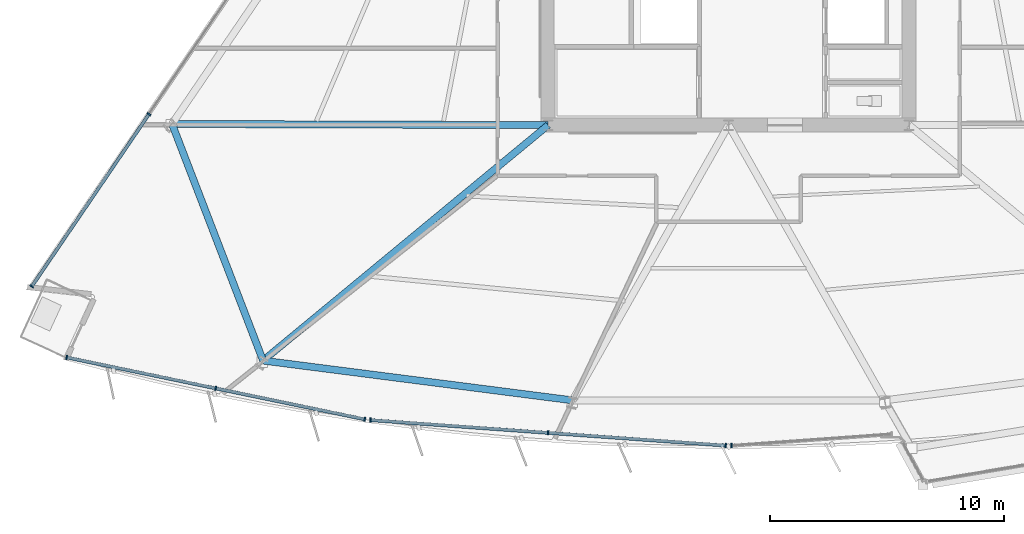
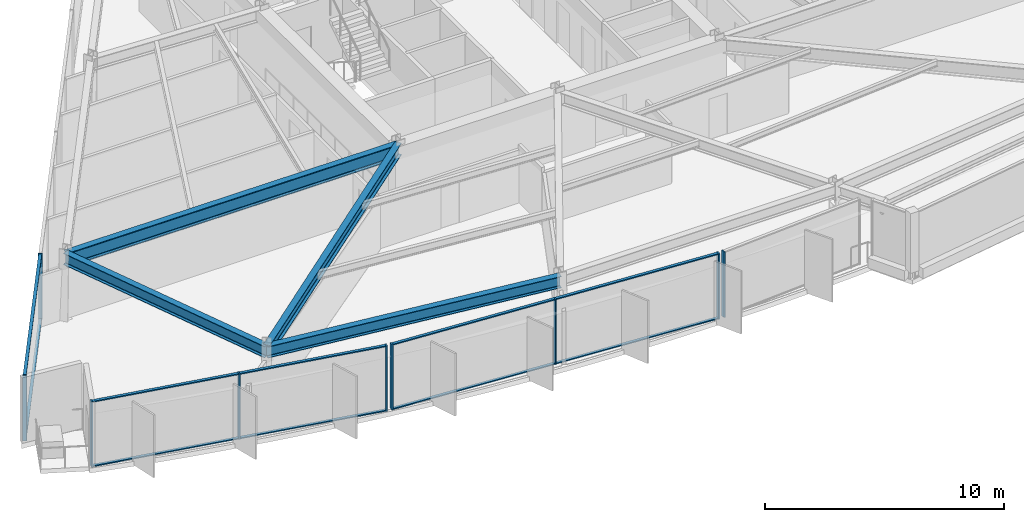
# One storey, part 2 of 18: 19 members, 4 beams, 4 elements without a shape of their own.
"""IFC4 building model written with IfcOpenShell, lengths in metres."""

from ifc_helpers import new_model, si_unit, direction, frame, origin, origin_2d, place, context, subcontext, project, spatial, rectangle, i_section, extrude, material, material_profile, profile_set, type_object, element, aggregate, save


model = new_model("IFC4")

# Units and contexts
model_context = context("Model", 3, precision=1e-05, world=origin(), true_north=direction((0.0, 1.0)))
body_context = subcontext(model_context, "Body", "Model", "MODEL_VIEW")
ifc_project = project(units=[si_unit("LENGTHUNIT", "METRE"), si_unit("AREAUNIT", "SQUARE_METRE"), si_unit("VOLUMEUNIT", "CUBIC_METRE"), si_unit("PLANEANGLEUNIT", "RADIAN"), si_unit("MASSUNIT", "GRAM", prefix="KILO")], contexts=[model_context])

# Site, building, storey
site_placement = place(None, origin())
site = spatial("IfcSite", under=ifc_project, at=site_placement, CompositionType="ELEMENT")
building_placement = place(site_placement, origin())
building = spatial("IfcBuilding", under=site, at=building_placement, Name="Savorim Split Tower", CompositionType="ELEMENT")
storey_placement = place(building_placement, frame((0.0, 0.0, 48.0)))
storey = spatial("IfcBuildingStorey", under=building, at=storey_placement, Name="L12", CompositionType="ELEMENT", Elevation=48.0)

# Beams
ifc_material_1 = material(Name="Steel S355", Category="steel")
ifc_material_profile_1 = material_profile(ifc_material_1, i_section(OverallWidth=0.300048828125, OverallDepth=0.60009765625, WebThickness=0.015380859375, FlangeThickness=0.030029296875, FilletRadius=0.027099609375, at=origin_2d()), Name="HEB 600")
ifc_profile_set_1 = profile_set([ifc_material_profile_1], Name="Steel S355")
beam_type_1 = type_object("IfcBeamType", Name="BM-PRI-HEB600", PredefinedType="BEAM", material=ifc_profile_set_1)
beam_1_placement = place(storey_placement, frame((-19.86376953125, -19.4462890625, 3.050048828125), z_axis=(0.771023527296, 0.636806658536, 0.0), x_axis=(-0.636806658536, 0.771023527296, 0.0)))
element("IfcBeam", 1, at=beam_1_placement, inside=storey, type_object=beam_type_1, Name="L12 Primary Floor Girder RG-01", PredefinedType="BEAM", context=body_context, shape_type="SweptSolid", body=[
    extrude(i_section(OverallWidth=0.300048828125, OverallDepth=0.60009765625, WebThickness=0.015380859375, FlangeThickness=0.030029296875, FilletRadius=0.027099609375, at=origin_2d()), origin(), (0.0, 0.0, 1.0), 15.776123046875),
])
ifc_material_2 = material(Name="Steel S460", Category="steel")
ifc_material_profile_2 = material_profile(ifc_material_2, i_section(OverallWidth=0.303955078125, OverallDepth=0.716064453125, WebThickness=0.02099609375, FlangeThickness=0.0400390625, FilletRadius=0.027099609375, at=origin_2d()), Name="HE 700 M")
ifc_profile_set_2 = profile_set([ifc_material_profile_2], Name="Steel S460")
beam_type_2 = type_object("IfcBeamType", Name="BM-PRI-HEM700", PredefinedType="BEAM", material=ifc_profile_set_2)
beam_2_placement = place(storey_placement, frame((-23.747802734375, -9.348876953125, 2.991943359375), z_axis=(0.999994945181, -0.003179561607, 0.0), x_axis=(0.003179561607, 0.999994945181, 0.0)))
element("IfcBeam", 2, at=beam_2_placement, inside=storey, type_object=beam_type_2, Name="L12 Primary Floor Girder RG-10", PredefinedType="BEAM", context=body_context, shape_type="SweptSolid", body=[
    extrude(i_section(OverallWidth=0.303955078125, OverallDepth=0.716064453125, WebThickness=0.02099609375, FlangeThickness=0.0400390625, FilletRadius=0.027099609375, at=origin_2d()), origin(), (0.0, 0.0, 1.0), 16.0478515625),
])
ifc_material_profile_3 = material_profile(ifc_material_1, i_section(OverallWidth=0.300048828125, OverallDepth=0.590087890625, WebThickness=0.012939453125, FlangeThickness=0.02490234375, FilletRadius=0.027099609375, at=origin_2d()), Name="HEA 600")
ifc_profile_set_3 = profile_set([ifc_material_profile_3], Name="Steel S355")
beam_type_3 = type_object("IfcBeamType", Name="BM-SPN-HEA600", PredefinedType="SPANDREL", material=ifc_profile_set_3)
beam_3_placement = place(storey_placement, frame((-19.86376953125, -19.4462890625, 3.054931640625), z_axis=(0.99185852051, -0.127344710498, 0.0), x_axis=(0.127344710498, 0.99185852051, 0.0)))
element("IfcBeam", 3, at=beam_3_placement, inside=storey, type_object=beam_type_3, Name="L12 Perimeter Spandrel Beam 1", PredefinedType="SPANDREL", context=body_context, shape_type="SweptSolid", body=[
    extrude(i_section(OverallWidth=0.300048828125, OverallDepth=0.590087890625, WebThickness=0.012939453125, FlangeThickness=0.02490234375, FilletRadius=0.027099609375, at=origin_2d()), origin(), (0.0, 0.0, 1.0), 13.314697265625),
])
beam_4_placement = place(storey_placement, frame((-23.747802734375, -9.348876953125, 3.054931640625), z_axis=(0.359012347396, -0.933332810104, 0.0), x_axis=(0.933332810104, 0.359012347396, 0.0)))
element("IfcBeam", 4, at=beam_4_placement, inside=storey, type_object=beam_type_3, Name="L12 Perimeter Spandrel Beam 10", PredefinedType="SPANDREL", context=body_context, shape_type="SweptSolid", body=[
    extrude(i_section(OverallWidth=0.300048828125, OverallDepth=0.590087890625, WebThickness=0.012939453125, FlangeThickness=0.02490234375, FilletRadius=0.027099609375, at=origin_2d()), origin(), (0.0, 0.0, 1.0), 10.818603515625),
])

# Curtain wall, members
ifc_material_3 = material(Name="Dark Ceramic-Fritted Insulated Glass", Category="glass")
curtain_wall_type = type_object("IfcCurtainWallType", Name="CW-TWR-FRIT-A", PredefinedType="NOTDEFINED", material=ifc_material_3)
curtain_wall_1_placement = place(storey_placement, origin())
curtain_wall_1 = element("IfcCurtainWall", 5, at=curtain_wall_1_placement, inside=storey, type_object=curtain_wall_type, Name="L12 Curtain Wall CW-L12-SF1A", PredefinedType="NOTDEFINED")
ifc_material_4 = material(Name="Charcoal Anodised Aluminium", Category="aluminium")
ifc_material_profile_4 = material_profile(ifc_material_4, rectangle(XDim=0.179931640625, YDim=0.06494140625, at=origin_2d()), Name="ALU-M 180x65")
ifc_profile_set_4 = profile_set([ifc_material_profile_4], Name="Charcoal Anodised Aluminium")
member_type_1 = type_object("IfcMemberType", Name="CWM-180x65", PredefinedType="MULLION", material=ifc_profile_set_4)
member_1_placement = place(storey_placement, frame((-28.245849609375, -19.309326171875, 0.0), z_axis=(0.0, 0.0, 1.0), x_axis=(0.203212438751, 0.9791346714, 0.0)))
member_1 = element("IfcMember", 6, at=member_1_placement, type_object=member_type_1, Name="CW-02 mullion 1", PredefinedType="MULLION", context=body_context, shape_type="SweptSolid", body=[
    extrude(rectangle(XDim=0.179931640625, YDim=0.06494140625, at=origin_2d()), origin(), (0.0, 0.0, 1.0), 3.35009765625),
])
member_2_placement = place(storey_placement, frame((-21.88623046875, -20.62939453125, 0.0), z_axis=(0.0, 0.0, 1.0), x_axis=(0.203212438751, 0.9791346714, 0.0)))
member_2 = element("IfcMember", 7, at=member_2_placement, type_object=member_type_1, Name="CW-02 mullion 2", PredefinedType="MULLION", context=body_context, shape_type="SweptSolid", body=[
    extrude(rectangle(XDim=0.179931640625, YDim=0.06494140625, at=origin_2d()), origin(), (0.0, 0.0, 1.0), 3.35009765625),
])
member_3_placement = place(storey_placement, frame((-15.526611328125, -21.94921875, 0.0), z_axis=(0.0, 0.0, 1.0), x_axis=(0.203212438751, 0.9791346714, 0.0)))
member_3 = element("IfcMember", 8, at=member_3_placement, type_object=member_type_1, Name="CW-02 mullion 3", PredefinedType="MULLION", context=body_context, shape_type="SweptSolid", body=[
    extrude(rectangle(XDim=0.179931640625, YDim=0.06494140625, at=origin_2d()), origin(), (0.0, 0.0, 1.0), 3.35009765625),
])

curtain_wall_2_placement = place(storey_placement, origin())
curtain_wall_2 = element("IfcCurtainWall", 9, at=curtain_wall_2_placement, inside=storey, type_object=curtain_wall_type, Name="L12 Curtain Wall CW-L12-SF2A", PredefinedType="NOTDEFINED")
member_4_placement = place(storey_placement, frame((-15.280517578125, -21.9833984375, 0.0), z_axis=(0.0, 0.0, 1.0), x_axis=(0.071561841284, 0.997436164811, 0.0)))
member_4 = element("IfcMember", 10, at=member_4_placement, type_object=member_type_1, Name="CW-02 mullion 1", PredefinedType="MULLION", context=body_context, shape_type="SweptSolid", body=[
    extrude(rectangle(XDim=0.179931640625, YDim=0.06494140625, at=origin_2d()), origin(), (0.0, 0.0, 1.0), 3.35009765625),
])
member_5_placement = place(storey_placement, frame((-7.7021484375, -22.527099609375, 0.0), z_axis=(0.0, 0.0, 1.0), x_axis=(0.071561841284, 0.997436164811, 0.0)))
member_5 = element("IfcMember", 11, at=member_5_placement, type_object=member_type_1, Name="CW-02 mullion 2", PredefinedType="MULLION", context=body_context, shape_type="SweptSolid", body=[
    extrude(rectangle(XDim=0.179931640625, YDim=0.06494140625, at=origin_2d()), origin(), (0.0, 0.0, 1.0), 3.35009765625),
])
member_6_placement = place(storey_placement, frame((-0.12353515625, -23.07080078125, 0.0), z_axis=(0.0, 0.0, 1.0), x_axis=(0.071561841284, 0.997436164811, 0.0)))
member_6 = element("IfcMember", 12, at=member_6_placement, type_object=member_type_1, Name="CW-02 mullion 3", PredefinedType="MULLION", context=body_context, shape_type="SweptSolid", body=[
    extrude(rectangle(XDim=0.179931640625, YDim=0.06494140625, at=origin_2d()), origin(), (0.0, 0.0, 1.0), 3.35009765625),
])

# Curtain wall, member
curtain_wall_3_placement = place(storey_placement, origin())
curtain_wall_3 = element("IfcCurtainWall", 13, at=curtain_wall_3_placement, inside=storey, type_object=curtain_wall_type, Name="L12 Curtain Wall CW-L12-SF3A", PredefinedType="NOTDEFINED")
member_7_placement = place(storey_placement, frame((0.12353515625, -23.07080078125, 0.0), z_axis=(0.0, 0.0, 1.0), x_axis=(-0.071571242627, 0.997435490259, 0.0)))
member_7 = element("IfcMember", 14, at=member_7_placement, type_object=member_type_1, Name="CW-02 mullion 1", PredefinedType="MULLION", context=body_context, shape_type="SweptSolid", body=[
    extrude(rectangle(XDim=0.179931640625, YDim=0.06494140625, at=origin_2d()), origin(), (0.0, 0.0, 1.0), 3.35009765625),
])
aggregate(curtain_wall_3, [member_7])

# Curtain wall, members
curtain_wall_4_placement = place(storey_placement, origin())
curtain_wall_4 = element("IfcCurtainWall", 15, at=curtain_wall_4_placement, inside=storey, type_object=curtain_wall_type, Name="L12 Curtain Wall CW-L12-WEST", PredefinedType="NOTDEFINED")
member_8_placement = place(storey_placement, frame((-24.735107421875, -8.93408203125, 0.0), z_axis=(0.0, 0.0, 1.0), x_axis=(0.826820923165, -0.562465253164, 0.0)))
member_8 = element("IfcMember", 16, at=member_8_placement, type_object=member_type_1, Name="CW-02 mullion 4", PredefinedType="MULLION", context=body_context, shape_type="SweptSolid", body=[
    extrude(rectangle(XDim=0.179931640625, YDim=0.06494140625, at=origin_2d()), origin(), (0.0, 0.0, 1.0), 3.35009765625),
])
member_9_placement = place(storey_placement, frame((-29.73388671875, -16.2822265625, 0.0), z_axis=(0.0, 0.0, 1.0), x_axis=(0.826820923165, -0.562465253164, 0.0)))
member_9 = element("IfcMember", 17, at=member_9_placement, type_object=member_type_1, Name="CW-02 mullion 5", PredefinedType="MULLION", context=body_context, shape_type="SweptSolid", body=[
    extrude(rectangle(XDim=0.179931640625, YDim=0.06494140625, at=origin_2d()), origin(), (0.0, 0.0, 1.0), 3.35009765625),
])

# Member
ifc_material_profile_5 = material_profile(ifc_material_4, rectangle(XDim=0.139892578125, YDim=0.054931640625, at=origin_2d()), Name="ALU-T 140x55")
ifc_profile_set_5 = profile_set([ifc_material_profile_5], Name="Charcoal Anodised Aluminium")
member_type_2 = type_object("IfcMemberType", Name="CWT-140x55", PredefinedType="USERDEFINED", material=ifc_profile_set_5)
member_10_placement = place(storey_placement, frame((-28.214111328125, -19.31591796875, 0.027587890625), z_axis=(0.979129561109, -0.203237060011, 0.0), x_axis=(0.203237060011, 0.979129561109, 0.0)))
member_10 = element("IfcMember", 18, at=member_10_placement, type_object=member_type_2, Name="CW-02 transom 1.1", ObjectType="TRANSOM", PredefinedType="USERDEFINED", context=body_context, shape_type="SweptSolid", body=[
    extrude(rectangle(XDim=0.139892578125, YDim=0.054931640625, at=origin_2d()), origin(), (0.0, 0.0, 1.0), 6.430419921875),
])

member_11_placement = place(storey_placement, frame((-28.214111328125, -19.31591796875, 3.322509765625), z_axis=(0.979129561109, -0.203237060011, 0.0), x_axis=(0.203237060011, 0.979129561109, 0.0)))
member_11 = element("IfcMember", 19, at=member_11_placement, type_object=member_type_2, Name="CW-02 transom 1.2", ObjectType="TRANSOM", PredefinedType="USERDEFINED", context=body_context, shape_type="SweptSolid", body=[
    extrude(rectangle(XDim=0.139892578125, YDim=0.054931640625, at=origin_2d()), origin(), (0.0, 0.0, 1.0), 6.430419921875),
])

member_12_placement = place(storey_placement, frame((-21.8544921875, -20.635986328125, 0.027587890625), z_axis=(0.979137115739, -0.20320066088, 0.0), x_axis=(0.20320066088, 0.979137115739, 0.0)))
member_12 = element("IfcMember", 20, at=member_12_placement, type_object=member_type_2, Name="CW-02 transom 2.1", ObjectType="TRANSOM", PredefinedType="USERDEFINED", context=body_context, shape_type="SweptSolid", body=[
    extrude(rectangle(XDim=0.139892578125, YDim=0.054931640625, at=origin_2d()), origin(), (0.0, 0.0, 1.0), 6.43017578125),
])

member_13_placement = place(storey_placement, frame((-21.8544921875, -20.635986328125, 3.322509765625), z_axis=(0.979137115739, -0.20320066088, 0.0), x_axis=(0.20320066088, 0.979137115739, 0.0)))
member_13 = element("IfcMember", 21, at=member_13_placement, type_object=member_type_2, Name="CW-02 transom 2.2", ObjectType="TRANSOM", PredefinedType="USERDEFINED", context=body_context, shape_type="SweptSolid", body=[
    extrude(rectangle(XDim=0.139892578125, YDim=0.054931640625, at=origin_2d()), origin(), (0.0, 0.0, 1.0), 6.43017578125),
])

aggregate(curtain_wall_1, [member_1, member_2, member_3, member_10, member_11, member_12, member_13])

member_14_placement = place(storey_placement, frame((-15.248046875, -21.98583984375, 0.027587890625), z_axis=(0.997436110569, -0.071562597307, 0.0), x_axis=(0.071562597307, 0.997436110569, 0.0)))
member_14 = element("IfcMember", 22, at=member_14_placement, type_object=member_type_2, Name="CW-02 transom 1.1", ObjectType="TRANSOM", PredefinedType="USERDEFINED", context=body_context, shape_type="SweptSolid", body=[
    extrude(rectangle(XDim=0.139892578125, YDim=0.054931640625, at=origin_2d()), origin(), (0.0, 0.0, 1.0), 7.53271484375),
])

member_15_placement = place(storey_placement, frame((-15.248046875, -21.98583984375, 3.322509765625), z_axis=(0.997436110569, -0.071562597307, 0.0), x_axis=(0.071562597307, 0.997436110569, 0.0)))
member_15 = element("IfcMember", 23, at=member_15_placement, type_object=member_type_2, Name="CW-02 transom 1.2", ObjectType="TRANSOM", PredefinedType="USERDEFINED", context=body_context, shape_type="SweptSolid", body=[
    extrude(rectangle(XDim=0.139892578125, YDim=0.054931640625, at=origin_2d()), origin(), (0.0, 0.0, 1.0), 7.53271484375),
])

member_16_placement = place(storey_placement, frame((-7.669677734375, -22.529541015625, 0.027587890625), z_axis=(0.997436276542, -0.071560283942, 0.0), x_axis=(0.071560283942, 0.997436276542, 0.0)))
member_16 = element("IfcMember", 24, at=member_16_placement, type_object=member_type_2, Name="CW-02 transom 2.1", ObjectType="TRANSOM", PredefinedType="USERDEFINED", context=body_context, shape_type="SweptSolid", body=[
    extrude(rectangle(XDim=0.139892578125, YDim=0.054931640625, at=origin_2d()), origin(), (0.0, 0.0, 1.0), 7.532958984375),
])

member_17_placement = place(storey_placement, frame((-7.669677734375, -22.529541015625, 3.322509765625), z_axis=(0.997436276542, -0.071560283942, 0.0), x_axis=(0.071560283942, 0.997436276542, 0.0)))
member_17 = element("IfcMember", 25, at=member_17_placement, type_object=member_type_2, Name="CW-02 transom 2.2", ObjectType="TRANSOM", PredefinedType="USERDEFINED", context=body_context, shape_type="SweptSolid", body=[
    extrude(rectangle(XDim=0.139892578125, YDim=0.054931640625, at=origin_2d()), origin(), (0.0, 0.0, 1.0), 7.532958984375),
])

aggregate(curtain_wall_2, [member_4, member_5, member_6, member_14, member_15, member_16, member_17])

member_18_placement = place(storey_placement, frame((-24.75341796875, -8.9609375, 0.027587890625), z_axis=(-0.562460641037, -0.826824060659, 0.0), x_axis=(0.826824060659, -0.562460641037, 0.0)))
member_18 = element("IfcMember", 26, at=member_18_placement, type_object=member_type_2, Name="CW-02 transom 4.1", ObjectType="TRANSOM", PredefinedType="USERDEFINED", context=body_context, shape_type="SweptSolid", body=[
    extrude(rectangle(XDim=0.139892578125, YDim=0.054931640625, at=origin_2d()), origin(), (0.0, 0.0, 1.0), 8.822265625),
])

member_19_placement = place(storey_placement, frame((-24.75341796875, -8.9609375, 3.322509765625), z_axis=(-0.562460641037, -0.826824060659, 0.0), x_axis=(0.826824060659, -0.562460641037, 0.0)))
member_19 = element("IfcMember", 27, at=member_19_placement, type_object=member_type_2, Name="CW-02 transom 4.2", ObjectType="TRANSOM", PredefinedType="USERDEFINED", context=body_context, shape_type="SweptSolid", body=[
    extrude(rectangle(XDim=0.139892578125, YDim=0.054931640625, at=origin_2d()), origin(), (0.0, 0.0, 1.0), 8.822265625),
])

aggregate(curtain_wall_4, [member_8, member_9, member_18, member_19])

save(model, "model.ifc")
